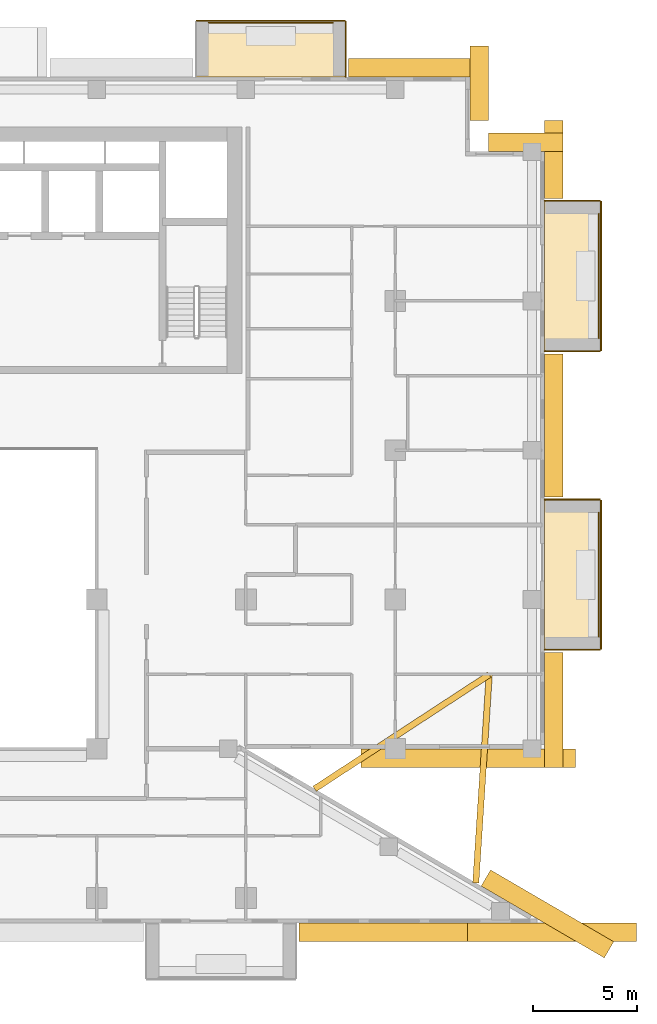
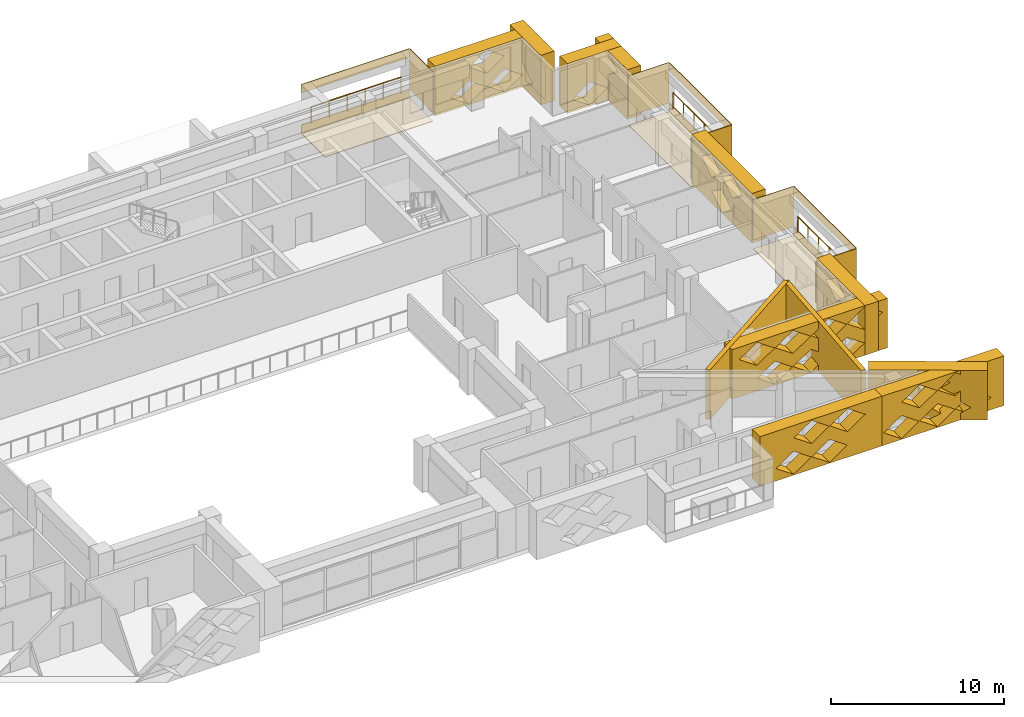
# One storey, part 20 of 20: 26 coverings, 3 railings.
"""IFC4 building model written with IfcOpenShell, lengths in metres."""

from ifc_helpers import new_model, si_unit, direction, frame, origin, origin_2d, place, context, subcontext, project, spatial, polyline, circle, outline, extrude, material, layer, layer_set, type_object, element, save


model = new_model("IFC4")

# Units and contexts
model_context = context("Model", 3, precision=1e-05, world=origin(), true_north=direction((0.0, 1.0)))
body_context = subcontext(model_context, "Body", "Model", "MODEL_VIEW")
ifc_project = project(units=[si_unit("LENGTHUNIT", "METRE"), si_unit("AREAUNIT", "SQUARE_METRE"), si_unit("VOLUMEUNIT", "CUBIC_METRE"), si_unit("PLANEANGLEUNIT", "RADIAN"), si_unit("MASSUNIT", "GRAM", prefix="KILO")], contexts=[model_context])

# Site, building, storey
site_placement = place(None, origin())
site = spatial("IfcSite", under=ifc_project, at=site_placement, CompositionType="ELEMENT")
building_placement = place(site_placement, origin())
building = spatial("IfcBuilding", under=site, at=building_placement, Name="Saffron Iwan Residences", CompositionType="ELEMENT")
storey_placement = place(building_placement, frame((0.0, 0.0, 143.0)))
storey = spatial("IfcBuildingStorey", under=building, at=storey_placement, Name="L37", CompositionType="ELEMENT", Elevation=143.0)

# Railings
ifc_material_1 = material(Name="Stainless steel 316", Category="steel")
railing_type = type_object("IfcRailingType", Name="BALCONY GUARD 1150", PredefinedType="GUARDRAIL", material=ifc_material_1)
for number, where, name in (
    (1, (89.02490234375, 53.39990234375, 0.0), "Balcony guard L37 F2-0"),
    (2, (89.02490234375, 67.800048828125, 0.0), "Balcony guard L37 F2-1"),
):
    element("IfcRailing", number, at=place(storey_placement, frame(where)), inside=storey, type_object=railing_type, Name=name, PredefinedType="GUARDRAIL", context=body_context, shape_type="SweptSolid", body=[
        extrude(circle(Radius=0.02392578125, at=origin_2d()), frame((0.0, 0.0, 1.1259765625), z_axis=(0.0, 1.0, 0.0), x_axis=(-1.0, 0.0, 0.0)), (0.0, 0.0, 1.0), 6.0),
        extrude(circle(Radius=0.02099609375, at=origin_2d()), origin(), (0.0, 0.0, 1.0), 1.101806640625),
        extrude(circle(Radius=0.02099609375, at=origin_2d()), frame((0.0, 1.199951171875, 0.0)), (0.0, 0.0, 1.0), 1.101806640625),
        extrude(circle(Radius=0.02099609375, at=origin_2d()), frame((0.0, 2.39990234375, 0.0)), (0.0, 0.0, 1.0), 1.101806640625),
        extrude(circle(Radius=0.02099609375, at=origin_2d()), frame((0.0, 3.60009765625, 0.0)), (0.0, 0.0, 1.0), 1.101806640625),
        extrude(circle(Radius=0.02099609375, at=origin_2d()), frame((0.0, 4.800048828125, 0.0)), (0.0, 0.0, 1.0), 1.101806640625),
        extrude(circle(Radius=0.02099609375, at=origin_2d()), frame((0.0, 6.0, 0.0)), (0.0, 0.0, 1.0), 1.101806640625),
    ])
railing_placement = place(storey_placement, frame((76.199951171875, 83.02490234375, 0.0)))
element("IfcRailing", 3, at=railing_placement, inside=storey, type_object=railing_type, Name="Balcony guard L37 F5-0", PredefinedType="GUARDRAIL", context=body_context, shape_type="SweptSolid", body=[
    extrude(circle(Radius=0.02392578125, at=origin_2d()), frame((0.0, 0.0, 1.1259765625), z_axis=(-1.0, 0.0, 0.0), x_axis=(0.0, -1.0, 0.0)), (0.0, 0.0, 1.0), 6.0),
    extrude(circle(Radius=0.02099609375, at=origin_2d()), origin(), (0.0, 0.0, 1.0), 1.101806640625),
    extrude(circle(Radius=0.02099609375, at=origin_2d()), frame((-1.199951171875, 0.0, 0.0)), (0.0, 0.0, 1.0), 1.101806640625),
    extrude(circle(Radius=0.02099609375, at=origin_2d()), frame((-2.39990234375, 0.0, 0.0)), (0.0, 0.0, 1.0), 1.101806640625),
    extrude(circle(Radius=0.02099609375, at=origin_2d()), frame((-3.60009765625, 0.0, 0.0)), (0.0, 0.0, 1.0), 1.101806640625),
    extrude(circle(Radius=0.02099609375, at=origin_2d()), frame((-4.800048828125, 0.0, 0.0)), (0.0, 0.0, 1.0), 1.101806640625),
    extrude(circle(Radius=0.02099609375, at=origin_2d()), frame((-6.0, 0.0, 0.0)), (0.0, 0.0, 1.0), 1.101806640625),
])

# Coverings
ifc_material_2 = material(Name="Precast concrete C40/50 white painted", Category="concrete")
ifc_layer_1 = layer(ifc_material_2, 0.050048828125)
ifc_layer_set_1 = layer_set([ifc_layer_1], Name="Precast concrete C40/50 white painted")
covering_type_1 = type_object("IfcCoveringType", Name="FRAME SKIN PRECAST WHITE 50", PredefinedType="CLADDING", material=ifc_layer_set_1)
for number, where, name in (
    (4, (0.0, 0.0, -0.60009765625), "Frame skin slab edge L37 F2-0"),
    (5, (0.0, 0.0, 2.25), "Frame skin fascia L37 F2-0"),
):
    element("IfcCovering", number, at=place(storey_placement, frame(where)), inside=storey, type_object=covering_type_1, Name=name, PredefinedType="CLADDING", context=body_context, shape_type="SweptSolid", body=[
        extrude(outline(polyline([(89.14990234375, 52.800048828125), (89.14990234375, 60.0), (89.10009765625, 60.0), (89.10009765625, 52.800048828125), (89.14990234375, 52.800048828125)])), origin(), (0.0, 0.0, 1.0), 0.60009765625),
    ])
covering_1_placement = place(storey_placement, frame((0.0, 0.0, -0.64990234375)))
element("IfcCovering", 6, at=covering_1_placement, inside=storey, type_object=covering_type_1, Name="Frame skin soffit L37 F2-0", PredefinedType="CLADDING", context=body_context, shape_type="SweptSolid", body=[
    extrude(outline(polyline([(89.10009765625, 52.800048828125), (89.10009765625, 60.0), (86.39990234375, 60.0), (86.39990234375, 52.800048828125), (89.10009765625, 52.800048828125)])), origin(), (0.0, 0.0, 1.0), 0.0498046875),
])
covering_2_placement = place(storey_placement, origin())
element("IfcCovering", 7, at=covering_2_placement, inside=storey, type_object=covering_type_1, Name="Frame skin fin L37 F2-0a", PredefinedType="CLADDING", context=body_context, shape_type="SweptSolid", body=[
    extrude(outline(polyline([(89.10009765625, 52.75), (89.10009765625, 52.800048828125), (86.39990234375, 52.800048828125), (86.39990234375, 52.75), (89.10009765625, 52.75)])), origin(), (0.0, 0.0, 1.0), 2.85009765625),
])
covering_3_placement = place(storey_placement, origin())
element("IfcCovering", 8, at=covering_3_placement, inside=storey, type_object=covering_type_1, Name="Frame skin fin L37 F2-0b", PredefinedType="CLADDING", context=body_context, shape_type="SweptSolid", body=[
    extrude(outline(polyline([(89.10009765625, 60.0), (89.10009765625, 60.050048828125), (86.39990234375, 60.050048828125), (86.39990234375, 60.0), (89.10009765625, 60.0)])), origin(), (0.0, 0.0, 1.0), 2.85009765625),
])
for number, where, name in (
    (9, (0.0, 0.0, -0.60009765625), "Frame skin slab edge L37 F2-1"),
    (10, (0.0, 0.0, 2.25), "Frame skin fascia L37 F2-1"),
):
    element("IfcCovering", number, at=place(storey_placement, frame(where)), inside=storey, type_object=covering_type_1, Name=name, PredefinedType="CLADDING", context=body_context, shape_type="SweptSolid", body=[
        extrude(outline(polyline([(89.14990234375, 67.199951171875), (89.14990234375, 74.39990234375), (89.10009765625, 74.39990234375), (89.10009765625, 67.199951171875), (89.14990234375, 67.199951171875)])), origin(), (0.0, 0.0, 1.0), 0.60009765625),
    ])
covering_4_placement = place(storey_placement, frame((0.0, 0.0, -0.64990234375)))
element("IfcCovering", 11, at=covering_4_placement, inside=storey, type_object=covering_type_1, Name="Frame skin soffit L37 F2-1", PredefinedType="CLADDING", context=body_context, shape_type="SweptSolid", body=[
    extrude(outline(polyline([(89.10009765625, 67.199951171875), (89.10009765625, 74.39990234375), (86.39990234375, 74.39990234375), (86.39990234375, 67.199951171875), (89.10009765625, 67.199951171875)])), origin(), (0.0, 0.0, 1.0), 0.0498046875),
])
covering_5_placement = place(storey_placement, origin())
element("IfcCovering", 12, at=covering_5_placement, inside=storey, type_object=covering_type_1, Name="Frame skin fin L37 F2-1a", PredefinedType="CLADDING", context=body_context, shape_type="SweptSolid", body=[
    extrude(outline(polyline([(89.10009765625, 67.14990234375), (89.10009765625, 67.199951171875), (86.39990234375, 67.199951171875), (86.39990234375, 67.14990234375), (89.10009765625, 67.14990234375)])), origin(), (0.0, 0.0, 1.0), 2.85009765625),
])
covering_6_placement = place(storey_placement, origin())
element("IfcCovering", 13, at=covering_6_placement, inside=storey, type_object=covering_type_1, Name="Frame skin fin L37 F2-1b", PredefinedType="CLADDING", context=body_context, shape_type="SweptSolid", body=[
    extrude(outline(polyline([(89.10009765625, 74.39990234375), (89.10009765625, 74.449951171875), (86.39990234375, 74.449951171875), (86.39990234375, 74.39990234375), (89.10009765625, 74.39990234375)])), origin(), (0.0, 0.0, 1.0), 2.85009765625),
])
for number, where, name in (
    (14, (0.0, 0.0, -0.60009765625), "Frame skin slab edge L37 F5-0"),
    (15, (0.0, 0.0, 2.25), "Frame skin fascia L37 F5-0"),
):
    element("IfcCovering", number, at=place(storey_placement, frame(where)), inside=storey, type_object=covering_type_1, Name=name, PredefinedType="CLADDING", context=body_context, shape_type="SweptSolid", body=[
        extrude(outline(polyline([(76.800048828125, 83.14990234375), (69.60009765625, 83.14990234375), (69.60009765625, 83.10009765625), (76.800048828125, 83.10009765625), (76.800048828125, 83.14990234375)])), origin(), (0.0, 0.0, 1.0), 0.60009765625),
    ])
covering_7_placement = place(storey_placement, frame((0.0, 0.0, -0.64990234375)))
element("IfcCovering", 16, at=covering_7_placement, inside=storey, type_object=covering_type_1, Name="Frame skin soffit L37 F5-0", PredefinedType="CLADDING", context=body_context, shape_type="SweptSolid", body=[
    extrude(outline(polyline([(76.800048828125, 83.10009765625), (69.60009765625, 83.10009765625), (69.60009765625, 80.39990234375), (76.800048828125, 80.39990234375), (76.800048828125, 83.10009765625)])), origin(), (0.0, 0.0, 1.0), 0.0498046875),
])
covering_8_placement = place(storey_placement, origin())
element("IfcCovering", 17, at=covering_8_placement, inside=storey, type_object=covering_type_1, Name="Frame skin fin L37 F5-0a", PredefinedType="CLADDING", context=body_context, shape_type="SweptSolid", body=[
    extrude(outline(polyline([(76.85009765625, 83.10009765625), (76.800048828125, 83.10009765625), (76.800048828125, 80.39990234375), (76.85009765625, 80.39990234375), (76.85009765625, 83.10009765625)])), origin(), (0.0, 0.0, 1.0), 2.85009765625),
])
ifc_material_3 = material(Name="Precast concrete C40/50", Category="concrete")
covering_type_2 = type_object("IfcCoveringType", Name="OUTER SKIN LATTICE SCREEN", PredefinedType="CLADDING", material=ifc_material_3)
covering_9_placement = place(storey_placement, frame((89.283935546875, 37.917724609375, -0.300048828125), z_axis=(0.503803550485, 0.863818257806, 0.0), x_axis=(-0.863818257806, 0.503803550485, 0.0)))
element("IfcCovering", 18, at=covering_9_placement, inside=storey, type_object=covering_type_2, Name="OUTER SKIN lattice screen L37 F0.0", PredefinedType="CLADDING", context=body_context, shape_type="SweptSolid", body=[
    extrude(outline(polyline([(0.0, 0.0), (6.874267578125, 0.0), (6.874267578125, 3.5), (0.0, 3.5), (0.0, 0.0)]), holes=[polyline([(0.958740234375, 0.875), (2.138671875, 0.06005859375), (3.318603515625, 0.875), (2.138671875, 1.68994140625), (0.958740234375, 0.875)]), polyline([(3.358642578125, 0.875), (4.538818359375, 0.06005859375), (5.71875, 0.875), (4.538818359375, 1.68994140625), (3.358642578125, 0.875)]), polyline([(2.15869140625, 2.625), (3.338623046875, 1.81005859375), (4.518798828125, 2.625), (3.338623046875, 3.43994140625), (2.15869140625, 2.625)])]), origin(), (0.0, 0.0, 1.0), 0.89990234375),
])
covering_10_placement = place(storey_placement, frame((77.538818359375, 48.0, -0.300048828125), z_axis=(0.0, -1.0, 0.0), x_axis=(1.0, 0.0, 0.0)))
element("IfcCovering", 19, at=covering_10_placement, inside=storey, type_object=covering_type_2, Name="OUTER SKIN lattice screen L37 F1.0", PredefinedType="CLADDING", context=body_context, shape_type="SweptSolid", body=[
    extrude(outline(polyline([(0.0, 0.0), (10.361328125, 0.0), (10.361328125, 3.5), (0.0, 3.5), (0.0, 0.0)]), holes=[polyline([(1.681396484375, 0.875), (2.861328125, 0.06005859375), (4.041259765625, 0.875), (2.861328125, 1.68994140625), (1.681396484375, 0.875)]), polyline([(4.081298828125, 0.875), (5.26123046875, 0.06005859375), (6.44140625, 0.875), (5.26123046875, 1.68994140625), (4.081298828125, 0.875)]), polyline([(6.481201171875, 0.875), (7.661376953125, 0.06005859375), (8.84130859375, 0.875), (7.661376953125, 1.68994140625), (6.481201171875, 0.875)]), polyline([(0.481201171875, 2.625), (1.661376953125, 1.81005859375), (2.84130859375, 2.625), (1.661376953125, 3.43994140625), (0.481201171875, 2.625)]), polyline([(2.88134765625, 2.625), (4.061279296875, 1.81005859375), (5.2412109375, 2.625), (4.061279296875, 3.43994140625), (2.88134765625, 2.625)]), polyline([(5.28125, 2.625), (6.461181640625, 1.81005859375), (7.641357421875, 2.625), (6.461181640625, 3.43994140625), (5.28125, 2.625)]), polyline([(7.681396484375, 2.625), (8.861328125, 1.81005859375), (10.041259765625, 2.625), (8.861328125, 3.43994140625), (7.681396484375, 2.625)])]), origin(), (0.0, 0.0, 1.0), 0.89990234375),
])
covering_11_placement = place(storey_placement, frame((86.39990234375, 47.10009765625, -0.300048828125), z_axis=(1.0, 0.0, 0.0), x_axis=(0.0, 1.0, 0.0)))
element("IfcCovering", 20, at=covering_11_placement, inside=storey, type_object=covering_type_2, Name="OUTER SKIN lattice screen L37 F2.0", PredefinedType="CLADDING", context=body_context, shape_type="SweptSolid", body=[
    extrude(outline(polyline([(0.0, 0.0), (5.550048828125, 0.0), (5.550048828125, 3.5), (0.0, 3.5), (0.0, 0.0)]), holes=[polyline([(0.919921875, 0.875), (2.10009765625, 0.06005859375), (3.280029296875, 0.875), (2.10009765625, 1.68994140625), (0.919921875, 0.875)]), polyline([(2.1201171875, 2.625), (3.300048828125, 1.81005859375), (4.47998046875, 2.625), (3.300048828125, 3.43994140625), (2.1201171875, 2.625)])]), origin(), (0.0, 0.0, 1.0), 0.900146484375),
])
covering_12_placement = place(storey_placement, frame((86.39990234375, 60.14990234375, -0.300048828125), z_axis=(1.0, 0.0, 0.0), x_axis=(0.0, 1.0, 0.0)))
element("IfcCovering", 21, at=covering_12_placement, inside=storey, type_object=covering_type_2, Name="OUTER SKIN lattice screen L37 F2.1", PredefinedType="CLADDING", context=body_context, shape_type="SweptSolid", body=[
    extrude(outline(polyline([(0.0, 0.0), (6.89990234375, 0.0), (6.89990234375, 3.5), (0.0, 3.5), (0.0, 0.0)]), holes=[polyline([(2.27001953125, 0.875), (3.449951171875, 0.06005859375), (4.6298828125, 0.875), (3.449951171875, 1.68994140625), (2.27001953125, 0.875)]), polyline([(1.070068359375, 2.625), (2.25, 1.81005859375), (3.429931640625, 2.625), (2.25, 3.43994140625), (1.070068359375, 2.625)]), polyline([(3.469970703125, 2.625), (4.64990234375, 1.81005859375), (5.830078125, 2.625), (4.64990234375, 3.43994140625), (3.469970703125, 2.625)])]), origin(), (0.0, 0.0, 1.0), 0.900146484375),
])
covering_13_placement = place(storey_placement, frame((86.39990234375, 74.550048828125, -0.300048828125), z_axis=(1.0, 0.0, 0.0), x_axis=(0.0, 1.0, 0.0)))
element("IfcCovering", 22, at=covering_13_placement, inside=storey, type_object=covering_type_2, Name="OUTER SKIN lattice screen L37 F2.2", PredefinedType="CLADDING", context=body_context, shape_type="SweptSolid", body=[
    extrude(outline(polyline([(0.0, 0.0), (3.75, 0.0), (3.75, 3.5), (0.0, 3.5), (0.0, 0.0)]), holes=[polyline([(1.070068359375, 2.625), (2.25, 1.81005859375), (3.429931640625, 2.625), (2.25, 3.43994140625), (1.070068359375, 2.625)])]), origin(), (0.0, 0.0, 1.0), 0.900146484375),
])
for number, where, z_axis, x_axis, name in (
    (23, (87.300048828125, 76.800048828125, -0.300048828125), (0.0, 1.0, 0.0), (-1.0, 0.0, 0.0), "OUTER SKIN lattice screen L37 F3.0"),
    (24, (82.800048828125, 78.300048828125, -0.300048828125), (1.0, 0.0, 0.0), (0.0, 1.0, 0.0), "OUTER SKIN lattice screen L37 F4.0"),
):
    element("IfcCovering", number, at=place(storey_placement, frame(where, z_axis=z_axis, x_axis=x_axis)), inside=storey, type_object=covering_type_2, Name=name, PredefinedType="CLADDING", context=body_context, shape_type="SweptSolid", body=[
        extrude(outline(polyline([(0.0, 0.0), (3.60009765625, 0.0), (3.60009765625, 3.5), (0.0, 3.5), (0.0, 0.0)]), holes=[polyline([(0.919921875, 0.875), (2.10009765625, 0.06005859375), (3.280029296875, 0.875), (2.10009765625, 1.68994140625), (0.919921875, 0.875)])]), origin(), (0.0, 0.0, 1.0), 0.89990234375),
    ])
covering_14_placement = place(storey_placement, frame((83.699951171875, 80.39990234375, -0.300048828125), z_axis=(0.0, 1.0, 0.0), x_axis=(-1.0, 0.0, 0.0)))
element("IfcCovering", 25, at=covering_14_placement, inside=storey, type_object=covering_type_2, Name="OUTER SKIN lattice screen L37 F5.0", PredefinedType="CLADDING", context=body_context, shape_type="SweptSolid", body=[
    extrude(outline(polyline([(0.0, 0.0), (6.75, 0.0), (6.75, 3.5), (0.0, 3.5), (0.0, 0.0)]), holes=[polyline([(0.919921875, 0.875), (2.10009765625, 0.06005859375), (3.280029296875, 0.875), (2.10009765625, 1.68994140625), (0.919921875, 0.875)]), polyline([(3.320068359375, 0.875), (4.5, 0.06005859375), (5.679931640625, 0.875), (4.5, 1.68994140625), (3.320068359375, 0.875)]), polyline([(2.1201171875, 2.625), (3.300048828125, 1.81005859375), (4.47998046875, 2.625), (3.300048828125, 3.43994140625), (2.1201171875, 2.625)])]), origin(), (0.0, 0.0, 1.0), 0.900146484375),
])
covering_15_placement = place(storey_placement, frame((74.550048828125, 39.60009765625, -0.300048828125), z_axis=(0.0, -1.0, 0.0), x_axis=(1.0, 0.0, 0.0)))
element("IfcCovering", 26, at=covering_15_placement, inside=storey, type_object=covering_type_2, Name="OUTER SKIN lattice screen L37 F11.3", PredefinedType="CLADDING", context=body_context, shape_type="SweptSolid", body=[
    extrude(outline(polyline([(0.0, 0.0), (8.144287109375, 0.0), (8.144287109375, 3.5), (0.0, 3.5), (0.0, 0.0)]), holes=[polyline([(1.070068359375, 0.875), (2.25, 0.06005859375), (3.429931640625, 0.875), (2.25, 1.68994140625), (1.070068359375, 0.875)]), polyline([(3.469970703125, 0.875), (4.64990234375, 0.06005859375), (5.830078125, 0.875), (4.64990234375, 1.68994140625), (3.469970703125, 0.875)]), polyline([(2.27001953125, 2.625), (3.449951171875, 1.81005859375), (4.6298828125, 2.625), (3.449951171875, 3.43994140625), (2.27001953125, 2.625)]), polyline([(4.669921875, 2.625), (5.85009765625, 1.81005859375), (7.030029296875, 2.625), (5.85009765625, 3.43994140625), (4.669921875, 2.625)])]), origin(), (0.0, 0.0, 1.0), 0.900146484375),
])
covering_16_placement = place(storey_placement, frame((82.6943359375, 39.60009765625, -0.300048828125), z_axis=(0.0, -1.0, 0.0), x_axis=(1.0, 0.0, 0.0)))
element("IfcCovering", 27, at=covering_16_placement, inside=storey, type_object=covering_type_2, Name="OUTER SKIN lattice screen L37 F11.4", PredefinedType="CLADDING", context=body_context, shape_type="SweptSolid", body=[
    extrude(outline(polyline([(0.0, 0.0), (8.144287109375, 0.0), (8.144287109375, 3.5), (0.0, 3.5), (0.0, 0.0)]), holes=[polyline([(0.125732421875, 0.875), (1.3056640625, 0.06005859375), (2.485595703125, 0.875), (1.3056640625, 1.68994140625), (0.125732421875, 0.875)]), polyline([(2.525634765625, 0.875), (3.705810546875, 0.06005859375), (4.8857421875, 0.875), (3.705810546875, 1.68994140625), (2.525634765625, 0.875)]), polyline([(4.925537109375, 0.875), (6.105712890625, 0.06005859375), (7.28564453125, 0.875), (6.105712890625, 1.68994140625), (4.925537109375, 0.875)]), polyline([(1.32568359375, 2.625), (2.505615234375, 1.81005859375), (3.685791015625, 2.625), (2.505615234375, 3.43994140625), (1.32568359375, 2.625)]), polyline([(3.7255859375, 2.625), (4.90576171875, 1.81005859375), (6.085693359375, 2.625), (4.90576171875, 3.43994140625), (3.7255859375, 2.625)])]), origin(), (0.0, 0.0, 1.0), 0.900146484375),
])
ifc_layer_2 = layer(ifc_material_2, 0.300048828125)
ifc_layer_set_2 = layer_set([ifc_layer_2], Name="Precast concrete C40/50 white painted")
covering_type_3 = type_object("IfcCoveringType", Name="PROW NOSE BLADE PRECAST WHITE", PredefinedType="CLADDING", material=ifc_layer_set_2)
covering_17_placement = place(storey_placement, frame((0.0, 0.0, -0.300048828125)))
element("IfcCovering", 28, at=covering_17_placement, inside=storey, type_object=covering_type_3, Name="Prow nose blade L37 a", PredefinedType="CLADDING", context=body_context, shape_type="SweptSolid", body=[
    extrude(outline(polyline([(83.23681640625, 41.52294921875), (83.884521484375, 51.564453125), (83.585205078125, 51.583740234375), (82.937255859375, 41.542236328125), (83.23681640625, 41.52294921875)])), origin(), (0.0, 0.0, 1.0), 3.5),
])
covering_18_placement = place(storey_placement, frame((0.0, 0.0, -0.300048828125)))
element("IfcCovering", 29, at=covering_18_placement, inside=storey, type_object=covering_type_3, Name="Prow nose blade L37 b", PredefinedType="CLADDING", context=body_context, shape_type="SweptSolid", body=[
    extrude(outline(polyline([(75.39501953125, 45.94189453125), (83.81689453125, 51.448486328125), (83.65283203125, 51.69970703125), (75.23095703125, 46.193115234375), (75.39501953125, 45.94189453125)])), origin(), (0.0, 0.0, 1.0), 3.5),
])

save(model, "model.ifc")
